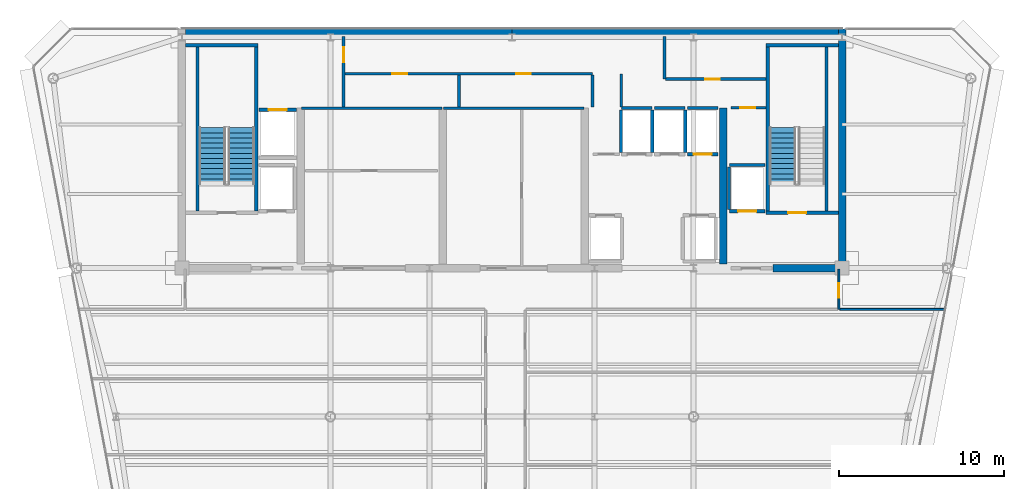
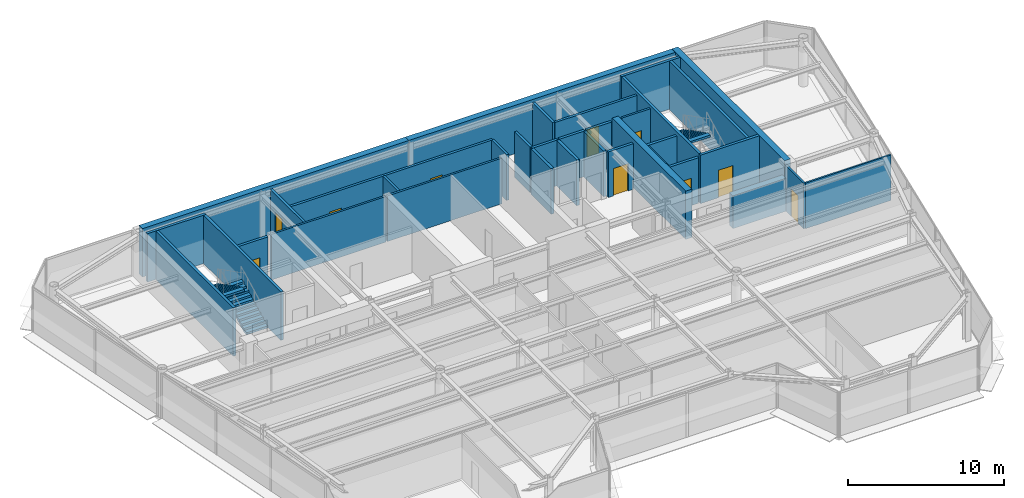
# One storey, part 12 of 20: 35 walls, 10 doors, 3 stair flights, 10 openings, 2 elements without a shape of their own.
"""IFC4 building model written with IfcOpenShell, lengths in metres."""

from ifc_helpers import new_model, si_unit, direction, frame, frame_2d, origin, place, context, subcontext, project, spatial, polyline, rectangle, outline, extrude, source, transform, mapped, material, layer, layer_set, type_object, element, fill, aggregate, save


model = new_model("IFC4")

# Units and contexts
model_context = context("Model", 3, precision=1e-05, world=origin(), true_north=direction((0.0, 1.0)))
body_context = subcontext(model_context, "Body", "Model", "MODEL_VIEW")
ifc_project = project(units=[si_unit("LENGTHUNIT", "METRE"), si_unit("AREAUNIT", "SQUARE_METRE"), si_unit("VOLUMEUNIT", "CUBIC_METRE"), si_unit("PLANEANGLEUNIT", "RADIAN"), si_unit("MASSUNIT", "GRAM", prefix="KILO")], contexts=[model_context])

# Site, building, storey
site_placement = place(None, origin())
site = spatial("IfcSite", under=ifc_project, at=site_placement, CompositionType="ELEMENT")
building_placement = place(site_placement, origin())
building = spatial("IfcBuilding", under=site, at=building_placement, Name="Vaeldorn Concourse Tower", CompositionType="ELEMENT")
storey_placement = place(building_placement, frame((0.0, 0.0, 291.60009765625)))
storey = spatial("IfcBuildingStorey", under=building, at=storey_placement, Name="L75", CompositionType="ELEMENT", Elevation=291.60009765625)

# Walls
ifc_material_1 = material(Name="Concrete C50/60", Category="concrete")
ifc_layer_1 = layer(ifc_material_1, 0.449951171875)
ifc_layer_set_1 = layer_set([ifc_layer_1], Name="Concrete C50/60")
wall_type_1 = type_object("IfcWallType", Name="WL-CORE-450", PredefinedType="SHEAR", material=ifc_layer_set_1)
for number, where, z_axis, x_axis, name in (
    (1, (14.22900390625, 50.77490234375, 0.0), (0.0, 0.0, 1.0), (1.0, 0.0, 0.0), "Rear Core Shear Wall L75 N1"),
    (2, (34.001953125, 50.77490234375, 0.0), (0.0, 0.0, 1.0), (1.0, 0.0, 0.0), "Rear Core Shear Wall L75 N2"),
):
    element("IfcWall", number, at=place(storey_placement, frame(where, z_axis=z_axis, x_axis=x_axis)), inside=storey, type_object=wall_type_1, Name=name, PredefinedType="SHEAR", context=body_context, shape_type="SweptSolid", body=[
        extrude(rectangle(XDim=19.76904296875, YDim=0.449951171875, at=frame_2d((9.884521484375, 0.0))), origin(), (0.0, 0.0, 1.0), 3.7998046875),
    ])
wall_1_placement = place(storey_placement, frame((54.0, 36.5, 0.0), z_axis=(0.0, 0.0, 1.0), x_axis=(0.0, 1.0, 0.0)))
element("IfcWall", 3, at=wall_1_placement, inside=storey, type_object=wall_type_1, Name="Rear Core Shear Wall L75 E1", PredefinedType="SHEAR", context=body_context, shape_type="SweptSolid", body=[
    extrude(rectangle(XDim=14.5, YDim=0.449951171875, at=frame_2d((7.25, 0.0))), origin(), (0.0, 0.0, 1.0), 3.7998046875),
])
wall_2_placement = place(storey_placement, frame((49.800048828125, 36.5, 0.0), z_axis=(0.0, 0.0, 1.0), x_axis=(1.0, 0.0, 0.0)))
element("IfcWall", 4, at=wall_2_placement, inside=storey, type_object=wall_type_1, Name="Rear Core Shear Wall L75 S4", PredefinedType="SHEAR", context=body_context, shape_type="SweptSolid", body=[
    extrude(rectangle(XDim=3.954833984375, YDim=0.449951171875, at=frame_2d((1.9775390625, 0.0))), origin(), (0.0, 0.0, 1.0), 2.579833984375),
])
wall_3_placement = place(storey_placement, frame((46.800048828125, 36.7451171875, 0.0), z_axis=(0.0, 0.0, 1.0), x_axis=(0.0, 1.0, 0.0)))
element("IfcWall", 5, at=wall_3_placement, inside=storey, type_object=wall_type_1, Name="Rear Core Shear Wall L75 M4", PredefinedType="SHEAR", context=body_context, shape_type="SweptSolid", body=[
    extrude(rectangle(XDim=9.454833984375, YDim=0.449951171875, at=frame_2d((4.7275390625, 0.0))), origin(), (0.0, 0.0, 1.0), 3.7998046875),
])

# Wall, opening, door
ifc_material_2 = material(Name="Gypsum Board Partition", Category="gypsum")
ifc_layer_2 = layer(ifc_material_2, 0.1201171875)
ifc_layer_set_2 = layer_set([ifc_layer_2], Name="Gypsum Board Partition")
wall_type_2 = type_object("IfcWallType", Name="WL-PART-120", PredefinedType="PARTITIONING", material=ifc_layer_set_2)
wall_4_placement = place(storey_placement, frame((53.800048828125, 34.0, 0.0), z_axis=(0.0, 0.0, 1.0), x_axis=(0.0, 1.0, 0.0)))
wall_4 = element("IfcWall", 6, at=wall_4_placement, inside=storey, type_object=wall_type_2, Name="Interior Wall PW-L75-C3E", PredefinedType="PARTITIONING", context=body_context, shape_type="SweptSolid", body=[
    extrude(rectangle(XDim=2.43994140625, YDim=0.1201171875, at=frame_2d((1.219970703125, 0.0))), origin(), (0.0, 0.0, 1.0), 3.579833984375),
])
opening_1_placement = place(wall_4_placement, frame((0.699951171875, 0.0, 0.0)))
opening_1 = element("IfcOpeningElement", 7, at=opening_1_placement, cuts=wall_4, Name="Opening D-03", PredefinedType="OPENING", context=body_context, shape_type="SweptSolid", body=[
    extrude(rectangle(XDim=0.89990234375, YDim=2.14990234375, at=frame_2d((0.449951171875, 1.074951171875))), frame((0.0, 0.070068359375, 0.0), z_axis=(0.0, -1.0, 0.0), x_axis=(1.0, 0.0, 0.0)), (0.0, 0.0, 1.0), 0.14013671875),
])
ifc_material_3 = material(Name="Acoustic Bronze-Framed Glass Door", Category="glass")
door_type_1 = type_object("IfcDoorType", Name="DR-INT-900", OperationType="NOTDEFINED", PredefinedType="DOOR", material=ifc_material_3)
shared_shape_1 = source(origin(), body_context, "Body", "SweptSolid", [
    extrude(rectangle(XDim=0.89990234375, YDim=2.14990234375, at=frame_2d((0.449951171875, 1.074951171875))), frame((0.0, 0.02490234375, 0.0), z_axis=(0.0, -1.0, 0.0), x_axis=(1.0, 0.0, 0.0)), (0.0, 0.0, 1.0), 0.050048828125),
])
door_1_placement = place(opening_1_placement, origin())
door_1 = element("IfcDoor", 8, at=door_1_placement, inside=storey, type_object=door_type_1, Name="Interior Door DR-L75-Z3NE", OperationType="SINGLE_SWING_RIGHT", OverallHeight=2.14990234375, OverallWidth=0.89990234375, PredefinedType="DOOR", context=body_context, shape_type="MappedRepresentation", body=[
    mapped(shared_shape_1, transform((0.0, 0.0, 0.0), scale=1.0)),
])
fill(opening_1, door_1)

# Walls
wall_5_placement = place(storey_placement, frame((53.860107421875, 34.0, 0.0), z_axis=(0.0, 0.0, 1.0), x_axis=(1.0, 0.0, 0.0)))
element("IfcWall", 9, at=wall_5_placement, inside=storey, type_object=wall_type_2, Name="Interior Wall PW-L75-Z3NEB", PredefinedType="PARTITIONING", context=body_context, shape_type="SweptSolid", body=[
    extrude(rectangle(XDim=6.34423828125, YDim=0.1201171875, at=frame_2d((3.172119140625, 0.0))), origin(), (0.0, 0.0, 1.0), 3.579833984375),
])
ifc_layer_3 = layer(ifc_material_2, 0.14990234375)
ifc_layer_set_3 = layer_set([ifc_layer_3], Name="Gypsum Board Partition")
wall_type_3 = type_object("IfcWallType", Name="WL-PART-150", PredefinedType="PARTITIONING", material=ifc_layer_set_3)
for number, where, z_axis, x_axis, name in (
    (10, (21.25, 46.199951171875, 0.0), (0.0, 0.0, 1.0), (1.0, 0.0, 0.0), "Interior Wall CW-L75-R1N"),
    (11, (29.85009765625, 46.199951171875, 0.0), (0.0, 0.0, 1.0), (1.0, 0.0, 0.0), "Interior Wall CW-L75-R2N"),
):
    element("IfcWall", number, at=place(storey_placement, frame(where, z_axis=z_axis, x_axis=x_axis)), inside=storey, type_object=wall_type_3, Name=name, PredefinedType="PARTITIONING", context=body_context, shape_type="SweptSolid", body=[
        extrude(rectangle(XDim=8.5, YDim=0.14990234375, at=frame_2d((4.25, 0.0))), origin(), (0.0, 0.0, 1.0), 3.579833984375),
    ])

# Wall, opening, door
wall_6_placement = place(storey_placement, frame((47.280029296875, 46.219970703125, 0.0), z_axis=(0.0, 0.0, 1.0), x_axis=(1.0, 0.0, 0.0)))
wall_6 = element("IfcWall", 12, at=wall_6_placement, inside=storey, type_object=wall_type_3, Name="Interior Wall CW-L75-CRSE-N", PredefinedType="PARTITIONING", context=body_context, shape_type="SweptSolid", body=[
    extrude(rectangle(XDim=2.099853515625, YDim=0.14990234375, at=frame_2d((1.0498046875, 0.0))), origin(), (0.0, 0.0, 1.0), 3.579833984375),
])
opening_2_placement = place(wall_6_placement, frame((0.550048828125, 0.0, 0.0)))
opening_2 = element("IfcOpeningElement", 13, at=opening_2_placement, cuts=wall_6, Name="Opening D-02", PredefinedType="OPENING", context=body_context, shape_type="SweptSolid", body=[
    extrude(rectangle(XDim=0.89990234375, YDim=2.10009765625, at=frame_2d((0.449951171875, 1.050048828125))), frame((0.0, 0.0849609375, 0.0), z_axis=(0.0, -1.0, 0.0), x_axis=(1.0, 0.0, 0.0)), (0.0, 0.0, 1.0), 0.169921875),
])
ifc_material_4 = material(Name="Fire-Rated Timber Leaf", Category="wood")
door_type_2 = type_object("IfcDoorType", Name="DR-FD30-900", OperationType="NOTDEFINED", PredefinedType="DOOR", material=ifc_material_4)
shared_shape_2 = source(origin(), body_context, "Body", "SweptSolid", [
    extrude(rectangle(XDim=0.89990234375, YDim=2.10009765625, at=frame_2d((0.449951171875, 1.050048828125))), frame((0.0, 0.02490234375, 0.0), z_axis=(0.0, -1.0, 0.0), x_axis=(1.0, 0.0, 0.0)), (0.0, 0.0, 1.0), 0.050048828125),
])
door_2_placement = place(opening_2_placement, origin())
door_2 = element("IfcDoor", 14, at=door_2_placement, inside=storey, type_object=door_type_2, Name="Interior Door DR-L75-CRSE", OperationType="SINGLE_SWING_RIGHT", OverallHeight=2.10009765625, OverallWidth=0.89990234375, PredefinedType="DOOR", context=body_context, shape_type="MappedRepresentation", body=[
    mapped(shared_shape_2, transform((0.0, 0.0, 0.0), scale=1.0)),
])
fill(opening_2, door_2)

# Wall, openings, doors
ifc_layer_4 = layer(ifc_material_2, 0.179931640625)
ifc_layer_set_4 = layer_set([ifc_layer_4], Name="Gypsum Board Partition")
wall_type_4 = type_object("IfcWallType", Name="WL-PLUMB-180", PredefinedType="PLUMBINGWALL", material=ifc_layer_set_4)
wall_7_placement = place(storey_placement, frame((23.85009765625, 48.280029296875, 0.0), z_axis=(0.0, 0.0, 1.0), x_axis=(1.0, 0.0, 0.0)))
wall_7 = element("IfcWall", 15, at=wall_7_placement, inside=storey, type_object=wall_type_4, Name="Interior Wall CW-L75-NS2W", PredefinedType="PLUMBINGWALL", context=body_context, shape_type="SweptSolid", body=[
    extrude(rectangle(XDim=15.02978515625, YDim=0.179931640625, at=frame_2d((7.514892578125, 0.0))), origin(), (0.0, 0.0, 1.0), 3.579833984375),
])
opening_3_placement = place(wall_7_placement, frame((2.89990234375, 0.0, 0.0)))
opening_3 = element("IfcOpeningElement", 16, at=opening_3_placement, cuts=wall_7, Name="Opening D-03", PredefinedType="OPENING", context=body_context, shape_type="SweptSolid", body=[
    extrude(rectangle(XDim=0.89990234375, YDim=2.14990234375, at=frame_2d((0.449951171875, 1.074951171875))), frame((0.0, 0.10009765625, 0.0), z_axis=(0.0, -1.0, 0.0), x_axis=(1.0, 0.0, 0.0)), (0.0, 0.0, 1.0), 0.199951171875),
])
opening_4_placement = place(wall_7_placement, frame((10.39990234375, 0.0, 0.0)))
opening_4 = element("IfcOpeningElement", 17, at=opening_4_placement, cuts=wall_7, Name="Opening D-03", PredefinedType="OPENING", context=body_context, shape_type="SweptSolid", body=[
    extrude(rectangle(XDim=0.89990234375, YDim=2.14990234375, at=frame_2d((0.449951171875, 1.074951171875))), frame((0.0, 0.10009765625, 0.0), z_axis=(0.0, -1.0, 0.0), x_axis=(1.0, 0.0, 0.0)), (0.0, 0.0, 1.0), 0.199951171875),
])
door_3_placement = place(opening_3_placement, origin())
door_3 = element("IfcDoor", 18, at=door_3_placement, inside=storey, type_object=door_type_1, Name="Interior Door DR-L75-CS2", OperationType="SINGLE_SWING_RIGHT", OverallHeight=2.14990234375, OverallWidth=0.89990234375, PredefinedType="DOOR", context=body_context, shape_type="MappedRepresentation", body=[
    mapped(shared_shape_1, transform((0.0, 0.0, 0.0), scale=1.0)),
])
fill(opening_3, door_3)
door_4_placement = place(opening_4_placement, origin())
door_4 = element("IfcDoor", 19, at=door_4_placement, inside=storey, type_object=door_type_1, Name="Interior Door DR-L75-CS3", OperationType="SINGLE_SWING_LEFT", OverallHeight=2.14990234375, OverallWidth=0.89990234375, PredefinedType="DOOR", context=body_context, shape_type="MappedRepresentation", body=[
    mapped(shared_shape_1, transform((0.0, 0.0, 0.0), scale=1.0)),
])
fill(opening_4, door_4)

# Wall, opening, door
wall_8_placement = place(storey_placement, frame((23.800048828125, 46.280029296875, 0.0), z_axis=(0.0, 0.0, 1.0), x_axis=(0.0, 1.0, 0.0)))
wall_8 = element("IfcWall", 20, at=wall_8_placement, inside=storey, type_object=wall_type_4, Name="Interior Wall CW-L75-SDIV1", PredefinedType="PLUMBINGWALL", context=body_context, shape_type="SweptSolid", body=[
    extrude(rectangle(XDim=4.25, YDim=0.179931640625, at=frame_2d((2.125, 0.0))), origin(), (0.0, 0.0, 1.0), 3.579833984375),
])
opening_5_placement = place(wall_8_placement, frame((2.7099609375, 0.0, 0.0)))
opening_5 = element("IfcOpeningElement", 21, at=opening_5_placement, cuts=wall_8, Name="Opening D-03", PredefinedType="OPENING", context=body_context, shape_type="SweptSolid", body=[
    extrude(rectangle(XDim=0.89990234375, YDim=2.14990234375, at=frame_2d((0.449951171875, 1.074951171875))), frame((0.0, 0.10009765625, 0.0), z_axis=(0.0, -1.0, 0.0), x_axis=(1.0, 0.0, 0.0)), (0.0, 0.0, 1.0), 0.199951171875),
])
door_5_placement = place(opening_5_placement, origin())
door_5 = element("IfcDoor", 22, at=door_5_placement, inside=storey, type_object=door_type_1, Name="Interior Door DR-L75-CS1", OperationType="SINGLE_SWING_LEFT", OverallHeight=2.14990234375, OverallWidth=0.89990234375, PredefinedType="DOOR", context=body_context, shape_type="MappedRepresentation", body=[
    mapped(shared_shape_1, transform((0.0, 0.0, 0.0), scale=1.0)),
])
fill(opening_5, door_5)

# Walls
for number, where, z_axis, x_axis, name in (
    (23, (30.800048828125, 46.280029296875, 0.0), (0.0, 0.0, 1.0), (0.0, 1.0, 0.0), "Interior Wall CW-L75-SDIV2"),
    (24, (38.8798828125, 46.280029296875, 0.0), (0.0, 0.0, 1.0), (0.0, 1.0, 0.0), "Interior Wall CW-L75-SDIV4"),
):
    element("IfcWall", number, at=place(storey_placement, frame(where, z_axis=z_axis, x_axis=x_axis)), inside=storey, type_object=wall_type_4, Name=name, PredefinedType="PLUMBINGWALL", context=body_context, shape_type="SweptSolid", body=[
        extrude(rectangle(XDim=1.93994140625, YDim=0.179931640625, at=frame_2d((0.969970703125, 0.0))), origin(), (0.0, 0.0, 1.0), 3.579833984375),
    ])
wall_9_placement = place(storey_placement, frame((40.6201171875, 46.280029296875, 0.0), z_axis=(0.0, 0.0, 1.0), x_axis=(0.0, 1.0, 0.0)))
element("IfcWall", 25, at=wall_9_placement, inside=storey, type_object=wall_type_4, Name="Interior Wall CW-L75-SDIV5", PredefinedType="PLUMBINGWALL", context=body_context, shape_type="SweptSolid", body=[
    extrude(rectangle(XDim=2.0, YDim=0.179931640625, at=frame_2d((1.0, 0.0))), origin(), (0.0, 0.0, 1.0), 3.579833984375),
])
wall_10_placement = place(storey_placement, frame((43.25, 47.949951171875, 0.0), z_axis=(0.0, 0.0, 1.0), x_axis=(0.0, 1.0, 0.0)))
element("IfcWall", 26, at=wall_10_placement, inside=storey, type_object=wall_type_4, Name="Interior Wall CW-L75-SDIV6", PredefinedType="PLUMBINGWALL", context=body_context, shape_type="SweptSolid", body=[
    extrude(rectangle(XDim=2.580078125, YDim=0.179931640625, at=frame_2d((1.2900390625, 0.0))), origin(), (0.0, 0.0, 1.0), 3.579833984375),
])

# Wall, opening, door
wall_11_placement = place(storey_placement, frame((43.300048828125, 47.949951171875, 0.0), z_axis=(0.0, 0.0, 1.0), x_axis=(1.0, 0.0, 0.0)))
wall_11 = element("IfcWall", 27, at=wall_11_placement, inside=storey, type_object=wall_type_4, Name="Interior Wall CW-L75-NS2EE", PredefinedType="PLUMBINGWALL", context=body_context, shape_type="SweptSolid", body=[
    extrude(rectangle(XDim=6.079833984375, YDim=0.179931640625, at=frame_2d((3.0400390625, 0.0))), origin(), (0.0, 0.0, 1.0), 3.579833984375),
])
opening_6_placement = place(wall_11_placement, frame((2.39990234375, 0.0, 0.0)))
opening_6 = element("IfcOpeningElement", 28, at=opening_6_placement, cuts=wall_11, Name="Opening D-03", PredefinedType="OPENING", context=body_context, shape_type="SweptSolid", body=[
    extrude(rectangle(XDim=0.89990234375, YDim=2.14990234375, at=frame_2d((0.449951171875, 1.074951171875))), frame((0.0, 0.10009765625, 0.0), z_axis=(0.0, -1.0, 0.0), x_axis=(1.0, 0.0, 0.0)), (0.0, 0.0, 1.0), 0.199951171875),
])
door_6_placement = place(opening_6_placement, origin())
door_6 = element("IfcDoor", 29, at=door_6_placement, inside=storey, type_object=door_type_1, Name="Interior Door DR-L75-CS5", OperationType="SINGLE_SWING_RIGHT", OverallHeight=2.14990234375, OverallWidth=0.89990234375, PredefinedType="DOOR", context=body_context, shape_type="MappedRepresentation", body=[
    mapped(shared_shape_1, transform((0.0, 0.0, 0.0), scale=1.0)),
])
fill(opening_6, door_6)

# Walls
ifc_layer_5 = layer(ifc_material_1, 0.199951171875)
ifc_layer_set_5 = layer_set([ifc_layer_5], Name="Concrete C50/60")
wall_type_5 = type_object("IfcWallType", Name="WL-SHAFT-200", PredefinedType="SOLIDWALL", material=ifc_layer_set_5)
wall_12_placement = place(storey_placement, frame((14.22509765625, 50.0, 0.0), z_axis=(0.0, 0.0, 1.0), x_axis=(1.0, 0.0, 0.0)))
element("IfcWall", 30, at=wall_12_placement, inside=storey, type_object=wall_type_5, Name="Stair Shaft Wall CW-L75-ST-1-N", PredefinedType="SOLIDWALL", context=body_context, shape_type="SweptSolid", body=[
    extrude(rectangle(XDim=4.375, YDim=0.199951171875, at=frame_2d((2.1875, 0.0))), origin(), (0.0, 0.0, 1.0), 3.7998046875),
])
for number, where, z_axis, x_axis, name in (
    (31, (14.949951171875, 39.9599609375, 0.0), (0.0, 0.0, 1.0), (0.0, 1.0, 0.0), "Stair Shaft Wall CW-L75-ST-1-W"),
    (32, (18.5, 39.9599609375, 0.0), (0.0, 0.0, 1.0), (0.0, 1.0, 0.0), "Stair Shaft Wall CW-L75-ST-1-E"),
):
    element("IfcWall", number, at=place(storey_placement, frame(where, z_axis=z_axis, x_axis=x_axis)), inside=storey, type_object=wall_type_5, Name=name, PredefinedType="SOLIDWALL", context=body_context, shape_type="SweptSolid", body=[
        extrude(rectangle(XDim=9.929931640625, YDim=0.199951171875, at=frame_2d((4.96484375, 0.0))), origin(), (0.0, 0.0, 1.0), 3.7998046875),
    ])

# Wall, opening, door
wall_13_placement = place(storey_placement, frame((49.39990234375, 39.85009765625, 0.0), z_axis=(0.0, 0.0, 1.0), x_axis=(1.0, 0.0, 0.0)))
wall_13 = element("IfcWall", 33, at=wall_13_placement, inside=storey, type_object=wall_type_5, Name="Stair Shaft Wall CW-L75-ST-2-S", PredefinedType="SOLIDWALL", context=body_context, shape_type="SweptSolid", body=[
    extrude(rectangle(XDim=4.375, YDim=0.199951171875, at=frame_2d((2.1875, 0.0))), origin(), (0.0, 0.0, 1.0), 3.7998046875),
])
opening_7_placement = place(wall_13_placement, frame((1.324951171875, 0.0, 0.0)))
opening_7 = element("IfcOpeningElement", 34, at=opening_7_placement, cuts=wall_13, Name="Opening D-01", PredefinedType="OPENING", context=body_context, shape_type="SweptSolid", body=[
    extrude(rectangle(XDim=1.10009765625, YDim=2.14990234375, at=frame_2d((0.550048828125, 1.074951171875))), frame((0.0, 0.10986328125, 0.0), z_axis=(0.0, -1.0, 0.0), x_axis=(1.0, 0.0, 0.0)), (0.0, 0.0, 1.0), 0.219970703125),
])
ifc_material_5 = material(Name="Fire-Rated Timber and Steel Leaf", Category="steel")
door_type_3 = type_object("IfcDoorType", Name="DR-FD60-1100", OperationType="NOTDEFINED", PredefinedType="DOOR", material=ifc_material_5)
shared_shape_3 = source(origin(), body_context, "Body", "SweptSolid", [
    extrude(rectangle(XDim=1.10009765625, YDim=2.14990234375, at=frame_2d((0.550048828125, 1.074951171875))), frame((0.0, 0.02490234375, 0.0), z_axis=(0.0, -1.0, 0.0), x_axis=(1.0, 0.0, 0.0)), (0.0, 0.0, 1.0), 0.050048828125),
])
door_7_placement = place(opening_7_placement, origin())
door_7 = element("IfcDoor", 35, at=door_7_placement, inside=storey, type_object=door_type_3, Name="Interior Door DR-L75-ST-2", OperationType="SINGLE_SWING_RIGHT", OverallHeight=2.14990234375, OverallWidth=1.10009765625, PredefinedType="DOOR", context=body_context, shape_type="MappedRepresentation", body=[
    mapped(shared_shape_3, transform((0.0, 0.0, 0.0), scale=1.0)),
])
fill(opening_7, door_7)

# Walls
wall_14_placement = place(storey_placement, frame((49.39990234375, 50.0, 0.0), z_axis=(0.0, 0.0, 1.0), x_axis=(1.0, 0.0, 0.0)))
element("IfcWall", 36, at=wall_14_placement, inside=storey, type_object=wall_type_5, Name="Stair Shaft Wall CW-L75-ST-2-N", PredefinedType="SOLIDWALL", context=body_context, shape_type="SweptSolid", body=[
    extrude(rectangle(XDim=4.375, YDim=0.199951171875, at=frame_2d((2.1875, 0.0))), origin(), (0.0, 0.0, 1.0), 3.7998046875),
])
for number, where, z_axis, x_axis, name in (
    (37, (49.5, 39.9599609375, 0.0), (0.0, 0.0, 1.0), (0.0, 1.0, 0.0), "Stair Shaft Wall CW-L75-ST-2-W"),
    (38, (53.050048828125, 39.9599609375, 0.0), (0.0, 0.0, 1.0), (0.0, 1.0, 0.0), "Stair Shaft Wall CW-L75-ST-2-E"),
):
    element("IfcWall", number, at=place(storey_placement, frame(where, z_axis=z_axis, x_axis=x_axis)), inside=storey, type_object=wall_type_5, Name=name, PredefinedType="SOLIDWALL", context=body_context, shape_type="SweptSolid", body=[
        extrude(rectangle(XDim=9.929931640625, YDim=0.199951171875, at=frame_2d((4.96484375, 0.0))), origin(), (0.0, 0.0, 1.0), 3.7998046875),
    ])
wall_15_placement = place(storey_placement, frame((40.6201171875, 46.199951171875, 0.0), z_axis=(0.0, 0.0, 1.0), x_axis=(1.0, 0.0, 0.0)))
element("IfcWall", 39, at=wall_15_placement, inside=storey, type_object=wall_type_5, Name="Interior Wall CW-L75-LFB-LF-15", PredefinedType="SOLIDWALL", context=body_context, shape_type="SweptSolid", body=[
    extrude(rectangle(XDim=1.85986328125, YDim=0.199951171875, at=frame_2d((0.929931640625, 0.0))), origin(), (0.0, 0.0, 1.0), 3.579833984375),
])
for number, where, z_axis, x_axis, name in (
    (40, (40.60009765625, 43.52001953125, 0.0), (0.0, 0.0, 1.0), (0.0, 1.0, 0.0), "Interior Wall CW-L75-LFW-LF-15"),
    (41, (42.5, 43.52001953125, 0.0), (0.0, 0.0, 1.0), (0.0, 1.0, 0.0), "Interior Wall CW-L75-LFE-LF-15"),
):
    element("IfcWall", number, at=place(storey_placement, frame(where, z_axis=z_axis, x_axis=x_axis)), inside=storey, type_object=wall_type_5, Name=name, PredefinedType="SOLIDWALL", context=body_context, shape_type="SweptSolid", body=[
        extrude(rectangle(XDim=2.56005859375, YDim=0.199951171875, at=frame_2d((1.280029296875, 0.0))), origin(), (0.0, 0.0, 1.0), 3.579833984375),
    ])
wall_16_placement = place(storey_placement, frame((42.6201171875, 46.199951171875, 0.0), z_axis=(0.0, 0.0, 1.0), x_axis=(1.0, 0.0, 0.0)))
element("IfcWall", 42, at=wall_16_placement, inside=storey, type_object=wall_type_5, Name="Interior Wall CW-L75-LFB-LF-16", PredefinedType="SOLIDWALL", context=body_context, shape_type="SweptSolid", body=[
    extrude(rectangle(XDim=1.85986328125, YDim=0.199951171875, at=frame_2d((0.929931640625, 0.0))), origin(), (0.0, 0.0, 1.0), 3.579833984375),
])
wall_17_placement = place(storey_placement, frame((44.5, 43.52001953125, 0.0), z_axis=(0.0, 0.0, 1.0), x_axis=(0.0, 1.0, 0.0)))
element("IfcWall", 43, at=wall_17_placement, inside=storey, type_object=wall_type_5, Name="Interior Wall CW-L75-LFE-LF-16", PredefinedType="SOLIDWALL", context=body_context, shape_type="SweptSolid", body=[
    extrude(rectangle(XDim=2.56005859375, YDim=0.199951171875, at=frame_2d((1.280029296875, 0.0))), origin(), (0.0, 0.0, 1.0), 3.579833984375),
])

# Wall, opening, door
wall_18_placement = place(storey_placement, frame((44.6201171875, 43.39990234375, 0.0), z_axis=(0.0, 0.0, 1.0), x_axis=(1.0, 0.0, 0.0)))
wall_18 = element("IfcWall", 44, at=wall_18_placement, inside=storey, type_object=wall_type_5, Name="Interior Wall CW-L75-LF-LF-17", PredefinedType="SOLIDWALL", context=body_context, shape_type="SweptSolid", body=[
    extrude(rectangle(XDim=1.85986328125, YDim=0.199951171875, at=frame_2d((0.929931640625, 0.0))), origin(), (0.0, 0.0, 1.0), 3.579833984375),
])
opening_8_placement = place(wall_18_placement, frame((0.3798828125, 0.0, 0.0)))
opening_8 = element("IfcOpeningElement", 45, at=opening_8_placement, cuts=wall_18, Name="Opening LD-1", PredefinedType="OPENING", context=body_context, shape_type="SweptSolid", body=[
    extrude(rectangle(XDim=1.10009765625, YDim=2.14990234375, at=frame_2d((0.550048828125, 1.074951171875))), frame((0.0, 0.10986328125, 0.0), z_axis=(0.0, -1.0, 0.0), x_axis=(1.0, 0.0, 0.0)), (0.0, 0.0, 1.0), 0.219970703125),
])
ifc_material_6 = material(Name="Anodised Bronze Aluminium", Category="aluminium")
door_type_4 = type_object("IfcDoorType", Name="DR-LIFT-SLIDE-1100", OperationType="DOUBLE_DOOR_SLIDING", PredefinedType="DOOR", material=ifc_material_6)
door_8_placement = place(opening_8_placement, origin())
door_8 = element("IfcDoor", 46, at=door_8_placement, inside=storey, type_object=door_type_4, Name="Lift Landing Door LD-L75-LF-17", OperationType="DOUBLE_DOOR_SLIDING", OverallHeight=2.14990234375, OverallWidth=1.10009765625, PredefinedType="DOOR", context=body_context, shape_type="MappedRepresentation", body=[
    mapped(shared_shape_3, transform((0.0, 0.0, 0.0), scale=1.0)),
])
fill(opening_8, door_8)

# Wall
wall_19_placement = place(storey_placement, frame((44.6201171875, 46.199951171875, 0.0), z_axis=(0.0, 0.0, 1.0), x_axis=(1.0, 0.0, 0.0)))
element("IfcWall", 47, at=wall_19_placement, inside=storey, type_object=wall_type_5, Name="Interior Wall CW-L75-LFB-LF-17", PredefinedType="SOLIDWALL", context=body_context, shape_type="SweptSolid", body=[
    extrude(rectangle(XDim=1.85986328125, YDim=0.199951171875, at=frame_2d((0.929931640625, 0.0))), origin(), (0.0, 0.0, 1.0), 3.579833984375),
])

# Wall, opening, door
wall_20_placement = place(storey_placement, frame((18.669921875, 46.10009765625, 0.0), z_axis=(0.0, 0.0, 1.0), x_axis=(1.0, 0.0, 0.0)))
wall_20 = element("IfcWall", 48, at=wall_20_placement, inside=storey, type_object=wall_type_5, Name="Interior Wall CW-L75-LF-LF-SV1", PredefinedType="SOLIDWALL", context=body_context, shape_type="SweptSolid", body=[
    extrude(rectangle(XDim=2.260009765625, YDim=0.199951171875, at=frame_2d((1.1298828125, 0.0))), origin(), (0.0, 0.0, 1.0), 3.579833984375),
])
opening_9_placement = place(wall_20_placement, frame((0.580078125, 0.0, 0.0)))
opening_9 = element("IfcOpeningElement", 49, at=opening_9_placement, cuts=wall_20, Name="Opening LD-1", PredefinedType="OPENING", context=body_context, shape_type="SweptSolid", body=[
    extrude(rectangle(XDim=1.10009765625, YDim=2.14990234375, at=frame_2d((0.550048828125, 1.074951171875))), frame((0.0, 0.10986328125, 0.0), z_axis=(0.0, -1.0, 0.0), x_axis=(1.0, 0.0, 0.0)), (0.0, 0.0, 1.0), 0.219970703125),
])
door_9_placement = place(opening_9_placement, origin())
door_9 = element("IfcDoor", 50, at=door_9_placement, inside=storey, type_object=door_type_4, Name="Lift Landing Door LD-L75-LF-SV1", OperationType="DOUBLE_DOOR_SLIDING", OverallHeight=2.14990234375, OverallWidth=1.10009765625, PredefinedType="DOOR", context=body_context, shape_type="MappedRepresentation", body=[
    mapped(shared_shape_3, transform((0.0, 0.0, 0.0), scale=1.0)),
])
fill(opening_9, door_9)

wall_21_placement = place(storey_placement, frame((47.169921875, 39.949951171875, 0.0), z_axis=(0.0, 0.0, 1.0), x_axis=(1.0, 0.0, 0.0)))
wall_21 = element("IfcWall", 51, at=wall_21_placement, inside=storey, type_object=wall_type_5, Name="Interior Wall CW-L75-LF-LF-FF2", PredefinedType="SOLIDWALL", context=body_context, shape_type="SweptSolid", body=[
    extrude(rectangle(XDim=2.16015625, YDim=0.199951171875, at=frame_2d((1.080078125, 0.0))), origin(), (0.0, 0.0, 1.0), 3.579833984375),
])
opening_10_placement = place(wall_21_placement, frame((0.530029296875, 0.0, 0.0)))
opening_10 = element("IfcOpeningElement", 52, at=opening_10_placement, cuts=wall_21, Name="Opening LD-1", PredefinedType="OPENING", context=body_context, shape_type="SweptSolid", body=[
    extrude(rectangle(XDim=1.10009765625, YDim=2.14990234375, at=frame_2d((0.550048828125, 1.074951171875))), frame((0.0, 0.10986328125, 0.0), z_axis=(0.0, -1.0, 0.0), x_axis=(1.0, 0.0, 0.0)), (0.0, 0.0, 1.0), 0.219970703125),
])
door_10_placement = place(opening_10_placement, origin())
door_10 = element("IfcDoor", 53, at=door_10_placement, inside=storey, type_object=door_type_4, Name="Lift Landing Door LD-L75-LF-FF2", OperationType="DOUBLE_DOOR_SLIDING", OverallHeight=2.14990234375, OverallWidth=1.10009765625, PredefinedType="DOOR", context=body_context, shape_type="MappedRepresentation", body=[
    mapped(shared_shape_3, transform((0.0, 0.0, 0.0), scale=1.0)),
])
fill(opening_10, door_10)

# Walls
wall_22_placement = place(storey_placement, frame((47.169921875, 42.75, 0.0), z_axis=(0.0, 0.0, 1.0), x_axis=(1.0, 0.0, 0.0)))
element("IfcWall", 54, at=wall_22_placement, inside=storey, type_object=wall_type_5, Name="Interior Wall CW-L75-LFB-LF-FF2", PredefinedType="SOLIDWALL", context=body_context, shape_type="SweptSolid", body=[
    extrude(rectangle(XDim=2.16015625, YDim=0.199951171875, at=frame_2d((1.080078125, 0.0))), origin(), (0.0, 0.0, 1.0), 3.579833984375),
])
wall_23_placement = place(storey_placement, frame((47.14990234375, 40.070068359375, 0.0), z_axis=(0.0, 0.0, 1.0), x_axis=(0.0, 1.0, 0.0)))
element("IfcWall", 55, at=wall_23_placement, inside=storey, type_object=wall_type_5, Name="Interior Wall CW-L75-LFW-LF-FF2", PredefinedType="SOLIDWALL", context=body_context, shape_type="SweptSolid", body=[
    extrude(rectangle(XDim=2.559814453125, YDim=0.199951171875, at=frame_2d((1.27978515625, 0.0))), origin(), (0.0, 0.0, 1.0), 3.579833984375),
])

# Stair, stair flights
ifc_material_7 = material(Name="Precast concrete C40/50", Category="concrete")
stair_type = type_object("IfcStairType", Name="STR-DOG-24x158", PredefinedType="HALF_TURN_STAIR", material=ifc_material_7)
stair_1_placement = place(storey_placement, origin())
stair_1 = element("IfcStair", 56, at=stair_1_placement, inside=storey, type_object=stair_type, Name="L75 West Core Exit Stair ST-1", PredefinedType="HALF_TURN_STAIR")
stair_flight_type = type_object("IfcStairFlightType", Name="STF-STR-12x158", PredefinedType="STRAIGHT", material=ifc_material_7)
stair_flight_1_placement = place(storey_placement, frame((17.60009765625, 41.60009765625, 0.0), z_axis=(0.0, 0.0, 1.0), x_axis=(0.0, 1.0, 0.0)))
stair_flight_1 = element("IfcStairFlight", 57, at=stair_flight_1_placement, type_object=stair_flight_type, Name="ST-1 flight 1", NumberOfRisers=12, NumberOfTreads=11, PredefinedType="STRAIGHT", RiserHeight=0.158333333, TreadLength=0.31, context=body_context, shape_type="SweptSolid", body=[
    extrude(outline(polyline([(0.0, 0.0), (0.0, 0.158447265625), (0.31005859375, 0.158447265625), (0.31005859375, 0.316650390625), (0.6201171875, 0.316650390625), (0.6201171875, 0.47509765625), (0.929931640625, 0.47509765625), (0.929931640625, 0.63330078125), (1.239990234375, 0.63330078125), (1.239990234375, 0.791748046875), (1.550048828125, 0.791748046875), (1.550048828125, 0.949951171875), (1.860107421875, 0.949951171875), (1.860107421875, 1.1083984375), (2.169921875, 1.1083984375), (2.169921875, 1.2666015625), (2.47998046875, 1.2666015625), (2.47998046875, 1.425048828125), (2.7900390625, 1.425048828125), (2.7900390625, 1.583251953125), (3.10009765625, 1.583251953125), (3.10009765625, 1.74169921875), (3.409912109375, 1.74169921875), (3.409912109375, 1.89990234375), (3.409912109375, 1.5732421875), (0.32958984375, 0.0), (0.0, 0.0)])), frame((0.0, 0.800048828125, 0.0), z_axis=(0.0, -1.0, 0.0), x_axis=(1.0, 0.0, 0.0)), (0.0, 0.0, 1.0), 1.60009765625),
])
stair_flight_2_placement = place(storey_placement, frame((15.85009765625, 45.010009765625, 1.89990234375), z_axis=(0.0, 0.0, 1.0), x_axis=(0.0, -1.0, 0.0)))
stair_flight_2 = element("IfcStairFlight", 58, at=stair_flight_2_placement, type_object=stair_flight_type, Name="ST-1 flight 2", NumberOfRisers=12, NumberOfTreads=11, PredefinedType="STRAIGHT", RiserHeight=0.158333333, TreadLength=0.31, context=body_context, shape_type="SweptSolid", body=[
    extrude(outline(polyline([(0.0, 0.0), (0.0, 0.158447265625), (0.31005859375, 0.158447265625), (0.31005859375, 0.316650390625), (0.6201171875, 0.316650390625), (0.6201171875, 0.47509765625), (0.929931640625, 0.47509765625), (0.929931640625, 0.63330078125), (1.239990234375, 0.63330078125), (1.239990234375, 0.791748046875), (1.550048828125, 0.791748046875), (1.550048828125, 0.949951171875), (1.860107421875, 0.949951171875), (1.860107421875, 1.1083984375), (2.169921875, 1.1083984375), (2.169921875, 1.2666015625), (2.47998046875, 1.2666015625), (2.47998046875, 1.425048828125), (2.7900390625, 1.425048828125), (2.7900390625, 1.583251953125), (3.10009765625, 1.583251953125), (3.10009765625, 1.74169921875), (3.409912109375, 1.74169921875), (3.409912109375, 1.89990234375), (3.409912109375, 1.5732421875), (0.32958984375, 0.0), (0.0, 0.0)])), frame((0.0, 0.800048828125, 0.0), z_axis=(0.0, -1.0, 0.0), x_axis=(1.0, 0.0, 0.0)), (0.0, 0.0, 1.0), 1.60009765625),
])
aggregate(stair_1, [stair_flight_1, stair_flight_2])

# Stair, stair flight
stair_2_placement = place(storey_placement, origin())
stair_2 = element("IfcStair", 59, at=stair_2_placement, inside=storey, type_object=stair_type, Name="L75 East Core Exit Stair ST-2", PredefinedType="HALF_TURN_STAIR")
stair_flight_3_placement = place(storey_placement, frame((50.39990234375, 45.010009765625, 1.89990234375), z_axis=(0.0, 0.0, 1.0), x_axis=(0.0, -1.0, 0.0)))
stair_flight_3 = element("IfcStairFlight", 60, at=stair_flight_3_placement, type_object=stair_flight_type, Name="ST-2 flight 2", NumberOfRisers=12, NumberOfTreads=11, PredefinedType="STRAIGHT", RiserHeight=0.158333333, TreadLength=0.31, context=body_context, shape_type="SweptSolid", body=[
    extrude(outline(polyline([(0.0, 0.0), (0.0, 0.158447265625), (0.31005859375, 0.158447265625), (0.31005859375, 0.316650390625), (0.6201171875, 0.316650390625), (0.6201171875, 0.47509765625), (0.929931640625, 0.47509765625), (0.929931640625, 0.63330078125), (1.239990234375, 0.63330078125), (1.239990234375, 0.791748046875), (1.550048828125, 0.791748046875), (1.550048828125, 0.949951171875), (1.860107421875, 0.949951171875), (1.860107421875, 1.1083984375), (2.169921875, 1.1083984375), (2.169921875, 1.2666015625), (2.47998046875, 1.2666015625), (2.47998046875, 1.425048828125), (2.7900390625, 1.425048828125), (2.7900390625, 1.583251953125), (3.10009765625, 1.583251953125), (3.10009765625, 1.74169921875), (3.409912109375, 1.74169921875), (3.409912109375, 1.89990234375), (3.409912109375, 1.5732421875), (0.32958984375, 0.0), (0.0, 0.0)])), frame((0.0, 0.800048828125, 0.0), z_axis=(0.0, -1.0, 0.0), x_axis=(1.0, 0.0, 0.0)), (0.0, 0.0, 1.0), 1.60009765625),
])
aggregate(stair_2, [stair_flight_3])

save(model, "model.ifc")
